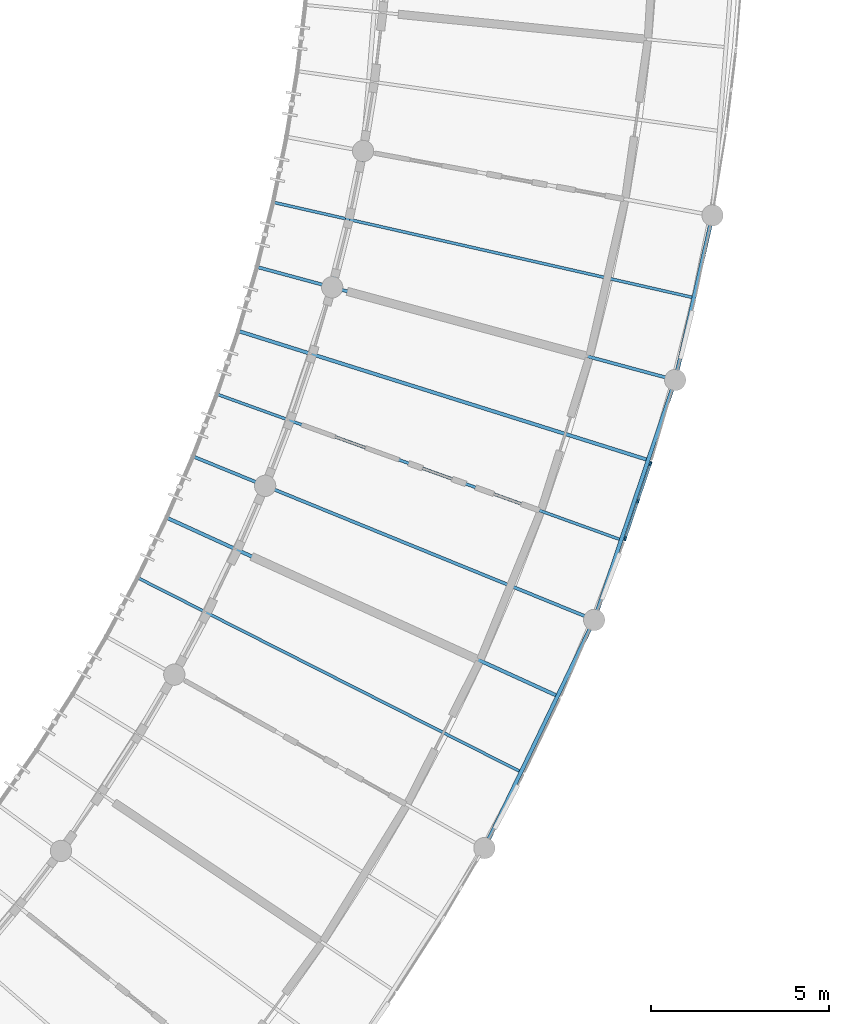
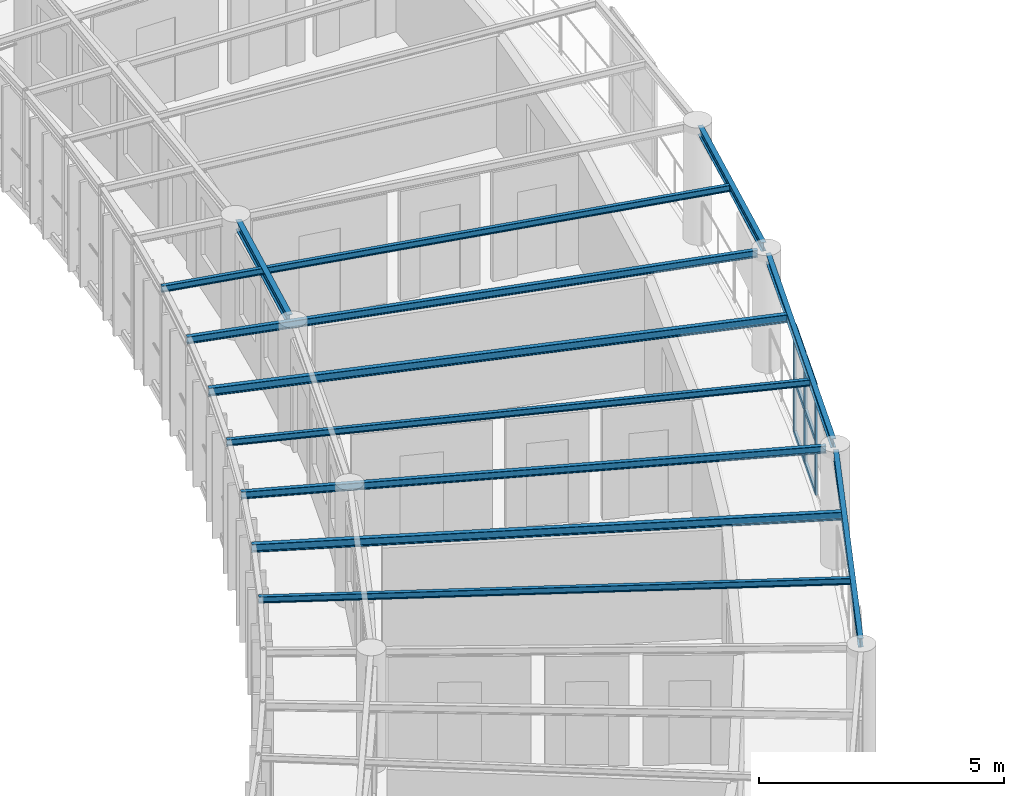
# One storey, part 16 of 101: 11 beams, 9 members, 1 element without a shape of its own.
"""IFC4 building model written with IfcOpenShell, lengths in metres."""

from ifc_helpers import new_model, si_unit, direction, frame, origin, origin_2d, place, context, subcontext, project, spatial, rectangle, i_section, extrude, material, layer, layer_set, material_profile, profile_set, type_object, element, aggregate, save


model = new_model("IFC4")

# Units and contexts
model_context = context("Model", 3, precision=1e-05, world=origin(), true_north=direction((0.0, 1.0)))
body_context = subcontext(model_context, "Body", "Model", "MODEL_VIEW")
ifc_project = project(units=[si_unit("LENGTHUNIT", "METRE"), si_unit("AREAUNIT", "SQUARE_METRE"), si_unit("VOLUMEUNIT", "CUBIC_METRE"), si_unit("PLANEANGLEUNIT", "RADIAN"), si_unit("MASSUNIT", "GRAM", prefix="KILO"), si_unit("POWERUNIT", "WATT"), si_unit("THERMODYNAMICTEMPERATUREUNIT", "KELVIN")], contexts=[model_context])

# Site, building, storey
site_placement = place(None, origin())
site = spatial("IfcSite", under=ifc_project, at=site_placement, CompositionType="ELEMENT")
building_placement = place(site_placement, origin())
building = spatial("IfcBuilding", under=site, at=building_placement, Name="Ruvembo Vaulted Housing Court", CompositionType="ELEMENT")
storey_placement = place(building_placement, frame((0.0, 0.0, 17.300048828125)))
storey = spatial("IfcBuildingStorey", under=building, at=storey_placement, Name="L05", CompositionType="ELEMENT", Elevation=17.300048828125)

# Beams
ifc_material_1 = material(Name="Steel S355J2", Category="steel")
ifc_material_profile_1 = material_profile(ifc_material_1, i_section(OverallWidth=0.08203125, OverallDepth=0.159912109375, WebThickness=0.0048828125, FlangeThickness=0.00732421875, FilletRadius=0.009033203125, at=origin_2d()), Name="IPE 160")
ifc_profile_set_1 = profile_set([ifc_material_profile_1], Name="Steel S355J2")
beam_type_1 = type_object("IfcBeamType", Name="BM-ST-IPE160", PredefinedType="JOIST", material=ifc_profile_set_1)
for number, where, z_axis, x_axis, name in (
    (1, (53.606689453125, 47.852783203125, 2.85205078125), (-0.892032194584, 0.451971861763, 0.0), (-0.451971861763, -0.892032194584, 0.0), "Scoop SC1 L05 Radial Steel Joist 7"),
    (2, (56.423583984375, 54.37841796875, 2.85205078125), (-0.940730058754, 0.339156242102, 0.0), (-0.339156242102, -0.940730058754, 0.0), "Scoop SC1 L05 Radial Steel Joist 10"),
):
    element("IfcBeam", number, at=place(storey_placement, frame(where, z_axis=z_axis, x_axis=x_axis)), inside=storey, type_object=beam_type_1, Name=name, PredefinedType="JOIST", context=body_context, shape_type="SweptSolid", body=[
        extrude(i_section(OverallWidth=0.08203125, OverallDepth=0.159912109375, WebThickness=0.0048828125, FlangeThickness=0.00732421875, FilletRadius=0.009033203125, at=origin_2d()), origin(), (0.0, 0.0, 1.0), 12.0927734375),
    ])
beam_1_placement = place(storey_placement, frame((58.46630859375, 61.189208984375, 2.85205078125), z_axis=(-0.975216538184, 0.221252578862, 0.0), x_axis=(-0.221252578862, -0.975216538184, 0.0)))
element("IfcBeam", 3, at=beam_1_placement, inside=storey, type_object=beam_type_1, Name="Scoop SC1 L05 Radial Steel Joist 13", PredefinedType="JOIST", context=body_context, shape_type="SweptSolid", body=[
    extrude(i_section(OverallWidth=0.08203125, OverallDepth=0.159912109375, WebThickness=0.0048828125, FlangeThickness=0.00732421875, FilletRadius=0.009033203125, at=origin_2d()), origin(), (0.0, 0.0, 1.0), 12.14111328125),
])
ifc_material_profile_2 = material_profile(ifc_material_1, i_section(OverallWidth=0.091064453125, OverallDepth=0.179931640625, WebThickness=0.00537109375, FlangeThickness=0.008056640625, FilletRadius=0.009033203125, at=origin_2d()), Name="IPE 180")
ifc_profile_set_2 = profile_set([ifc_material_profile_2], Name="Steel S355J2")
beam_type_2 = type_object("IfcBeamType", Name="BM-ST-IPE180", PredefinedType="JOIST", material=ifc_profile_set_2)
for number, where, z_axis, x_axis, name in (
    (4, (55.53466796875, 52.181396484375, 2.842041015625), (-0.926045419816, 0.377412083058, 0.0), (-0.377412083058, -0.926045419816, 0.0), "Scoop SC1 L05 Radial Steel Joist 9"),
    (5, (57.805908203125, 58.91064453125, 2.842041015625), (-0.965334285753, 0.261016698219, 0.0), (-0.261016698219, -0.965334285753, 0.0), "Scoop SC1 L05 Radial Steel Joist 12"),
):
    element("IfcBeam", number, at=place(storey_placement, frame(where, z_axis=z_axis, x_axis=x_axis)), inside=storey, type_object=beam_type_2, Name=name, PredefinedType="JOIST", context=body_context, shape_type="SweptSolid", body=[
        extrude(i_section(OverallWidth=0.091064453125, OverallDepth=0.179931640625, WebThickness=0.00537109375, FlangeThickness=0.008056640625, FilletRadius=0.009033203125, at=origin_2d()), origin(), (0.0, 0.0, 1.0), 12.050048828125),
    ])
ifc_material_profile_3 = material_profile(ifc_material_1, i_section(OverallWidth=0.10009765625, OverallDepth=0.199951171875, WebThickness=0.005615234375, FlangeThickness=0.008544921875, FilletRadius=0.011962890625, at=origin_2d()), Name="IPE 200")
ifc_profile_set_3 = profile_set([ifc_material_profile_3], Name="Steel S355J2")
beam_type_3 = type_object("IfcBeamType", Name="BM-ST-IPE200", PredefinedType="BEAM", material=ifc_profile_set_3)
for number, where, z_axis, x_axis, name in (
    (6, (54.634521484375, 49.989013671875, 2.83203125), (-0.909807680255, 0.415030101256, 0.0), (-0.415030101256, -0.909807680255, 0.0), "Scoop SC1 L05 Radial Steel Joist 8"),
    (7, (57.181640625, 56.62451171875, 2.83203125), (-0.953840147825, 0.300314788843, 0.0), (-0.300314788843, -0.953840147825, 0.0), "Scoop SC1 L05 Radial Steel Joist 11"),
):
    element("IfcBeam", number, at=place(storey_placement, frame(where, z_axis=z_axis, x_axis=x_axis)), inside=storey, type_object=beam_type_3, Name=name, PredefinedType="BEAM", context=body_context, shape_type="SweptSolid", body=[
        extrude(i_section(OverallWidth=0.10009765625, OverallDepth=0.199951171875, WebThickness=0.005615234375, FlangeThickness=0.008544921875, FilletRadius=0.011962890625, at=origin_2d()), origin(), (0.0, 0.0, 1.0), 12.092529296875),
    ])
ifc_material_profile_4 = material_profile(ifc_material_1, i_section(OverallWidth=0.110107421875, OverallDepth=0.219970703125, WebThickness=0.005859375, FlangeThickness=0.00927734375, FilletRadius=0.011962890625, at=origin_2d()), Name="IPE 220")
ifc_profile_set_4 = profile_set([ifc_material_profile_4], Name="Steel S355J2")
beam_type_4 = type_object("IfcBeamType", Name="BM-ST-IPE220", PredefinedType="SPANDREL", material=ifc_profile_set_4)
for number, where, z_axis, x_axis, name in (
    (8, (52.703369140625, 45.860107421875, 2.823974609375), (0.433596873745, 0.901106958734, 0.0), (-0.901106958734, 0.433596873745, 0.0), "Scoop SC1 L05 Chord Girder B6"),
    (9, (55.771240234375, 52.289794921875, 2.823974609375), (0.319841191203, 0.94747116706, 0.0), (-0.94747116706, 0.319841191203, 0.0), "Scoop SC1 L05 Chord Girder B9"),
):
    element("IfcBeam", number, at=place(storey_placement, frame(where, z_axis=z_axis, x_axis=x_axis)), inside=storey, type_object=beam_type_4, Name=name, PredefinedType="SPANDREL", context=body_context, shape_type="SweptSolid", body=[
        extrude(i_section(OverallWidth=0.110107421875, OverallDepth=0.219970703125, WebThickness=0.005859375, FlangeThickness=0.00927734375, FilletRadius=0.011962890625, at=origin_2d()), origin(), (0.0, 0.0, 1.0), 6.745361328125),
    ])
beam_2_placement = place(storey_placement, frame((58.031494140625, 59.04638671875, 2.823974609375), z_axis=(0.221244567423, 0.975218355747, 0.0), x_axis=(-0.975218355747, 0.221244567423, 0.0)))
element("IfcBeam", 10, at=beam_2_placement, inside=storey, type_object=beam_type_4, Name="Scoop SC1 L05 Chord Girder B12", PredefinedType="SPANDREL", context=body_context, shape_type="SweptSolid", body=[
    extrude(i_section(OverallWidth=0.110107421875, OverallDepth=0.219970703125, WebThickness=0.005859375, FlangeThickness=0.00927734375, FilletRadius=0.011962890625, at=origin_2d()), origin(), (0.0, 0.0, 1.0), 4.3720703125),
])
ifc_material_profile_5 = material_profile(ifc_material_1, i_section(OverallWidth=0.1201171875, OverallDepth=0.239990234375, WebThickness=0.006103515625, FlangeThickness=0.009765625, FilletRadius=0.014892578125, at=origin_2d()), Name="IPE 240")
ifc_profile_set_5 = profile_set([ifc_material_profile_5], Name="Steel S355J2")
beam_type_5 = type_object("IfcBeamType", Name="BM-ST-IPE240", PredefinedType="BEAM", material=ifc_profile_set_5)
beam_3_placement = place(storey_placement, frame((48.3779296875, 61.656494140625, 2.81396484375), z_axis=(0.22134486741, 0.975195595597, 0.0), x_axis=(-0.975195595597, 0.22134486741, 0.0)))
element("IfcBeam", 11, at=beam_3_placement, inside=storey, type_object=beam_type_5, Name="Scoop SC1 L05 Chord Girder F12", PredefinedType="BEAM", context=body_context, shape_type="SweptSolid", body=[
    extrude(i_section(OverallWidth=0.1201171875, OverallDepth=0.239990234375, WebThickness=0.006103515625, FlangeThickness=0.009765625, FilletRadius=0.014892578125, at=origin_2d()), origin(), (0.0, 0.0, 1.0), 3.552734375),
])

# Curtain wall, members
ifc_material_2 = material(Name="Anodised Aluminium and Solar-Control Glass", Category="aluminium")
ifc_layer = layer(ifc_material_2, 0.139892578125, Name="Anodised Aluminium and Solar-Control Glass")
ifc_layer_set = layer_set([ifc_layer], Name="Anodised Aluminium and Solar-Control Glass")
curtain_wall_type = type_object("IfcCurtainWallType", Name="CW-SCOOP-PAN", PredefinedType="NOTDEFINED", material=ifc_layer_set)
curtain_wall_placement = place(storey_placement, origin())
curtain_wall = element("IfcCurtainWall", 12, at=curtain_wall_placement, inside=storey, type_object=curtain_wall_type, Name="L05 Curtain Wall CW-L05-0027", PredefinedType="NOTDEFINED")
ifc_material_3 = material(Name="Anodised Aluminium 6063-T6", Category="aluminium")
ifc_material_profile_6 = material_profile(ifc_material_3, rectangle(XDim=0.054931640625, YDim=0.1201171875, at=origin_2d()), Name="ALU 55x120")
ifc_profile_set_6 = profile_set([ifc_material_profile_6], Name="Anodised Aluminium 6063-T6")
member_type_1 = type_object("IfcMemberType", Name="CW-MUL-55x120", PredefinedType="MULLION", material=ifc_profile_set_6)
member_1_placement = place(storey_placement, frame((56.5869140625, 54.40185546875, 0.0), z_axis=(0.0, 0.0, 1.0), x_axis=(-0.947472812083, 0.31983631808, 0.0)))
member_1 = element("IfcMember", 13, at=member_1_placement, type_object=member_type_1, Name="CW10 mullion 1", PredefinedType="MULLION", context=body_context, shape_type="SweptSolid", body=[
    extrude(rectangle(XDim=0.054931640625, YDim=0.1201171875, at=origin_2d()), origin(), (0.0, 0.0, 1.0), 2.68994140625),
])
member_2_placement = place(storey_placement, frame((56.942138671875, 55.454345703125, 0.0), z_axis=(0.0, 0.0, 1.0), x_axis=(-0.947472812083, 0.31983631808, 0.0)))
member_2 = element("IfcMember", 14, at=member_2_placement, type_object=member_type_1, Name="CW10 mullion 2", PredefinedType="MULLION", context=body_context, shape_type="SweptSolid", body=[
    extrude(rectangle(XDim=0.054931640625, YDim=0.1201171875, at=origin_2d()), origin(), (0.0, 0.0, 1.0), 2.68994140625),
])
member_3_placement = place(storey_placement, frame((57.29736328125, 56.506591796875, 0.0), z_axis=(0.0, 0.0, 1.0), x_axis=(-0.947472812083, 0.31983631808, 0.0)))
member_3 = element("IfcMember", 15, at=member_3_placement, type_object=member_type_1, Name="CW10 mullion 3", PredefinedType="MULLION", context=body_context, shape_type="SweptSolid", body=[
    extrude(rectangle(XDim=0.054931640625, YDim=0.1201171875, at=origin_2d()), origin(), (0.0, 0.0, 1.0), 2.68994140625),
])
ifc_material_profile_7 = material_profile(ifc_material_3, rectangle(XDim=0.06005859375, YDim=0.1201171875, at=origin_2d()), Name="ALU 60x120")
ifc_profile_set_7 = profile_set([ifc_material_profile_7], Name="Anodised Aluminium 6063-T6")
member_type_2 = type_object("IfcMemberType", Name="CW-TRANSOM-65x120", PredefinedType="USERDEFINED", material=ifc_profile_set_7)
member_4_placement = place(storey_placement, frame((56.595703125, 54.427978515625, 0.030029296875), z_axis=(0.319833141803, 0.947473884286, 0.0), x_axis=(-0.947473884286, 0.319833141803, 0.0)))
member_4 = element("IfcMember", 16, at=member_4_placement, type_object=member_type_2, Name="CW10 transom 1.1", ObjectType="TRANSOM", PredefinedType="USERDEFINED", context=body_context, shape_type="SweptSolid", body=[
    extrude(rectangle(XDim=0.06005859375, YDim=0.1201171875, at=origin_2d()), origin(), (0.0, 0.0, 1.0), 1.0556640625),
])
member_5_placement = place(storey_placement, frame((56.595703125, 54.427978515625, 1.344970703125), z_axis=(0.319833141803, 0.947473884286, 0.0), x_axis=(-0.947473884286, 0.319833141803, 0.0)))
member_5 = element("IfcMember", 17, at=member_5_placement, type_object=member_type_2, Name="CW10 transom 1.2", ObjectType="TRANSOM", PredefinedType="USERDEFINED", context=body_context, shape_type="SweptSolid", body=[
    extrude(rectangle(XDim=0.06005859375, YDim=0.1201171875, at=origin_2d()), origin(), (0.0, 0.0, 1.0), 1.0556640625),
])
member_6_placement = place(storey_placement, frame((56.595703125, 54.427978515625, 2.659912109375), z_axis=(0.319833141803, 0.947473884286, 0.0), x_axis=(-0.947473884286, 0.319833141803, 0.0)))
member_6 = element("IfcMember", 18, at=member_6_placement, type_object=member_type_2, Name="CW10 transom 1.3", ObjectType="TRANSOM", PredefinedType="USERDEFINED", context=body_context, shape_type="SweptSolid", body=[
    extrude(rectangle(XDim=0.06005859375, YDim=0.1201171875, at=origin_2d()), origin(), (0.0, 0.0, 1.0), 1.0556640625),
])
member_7_placement = place(storey_placement, frame((56.950927734375, 55.480224609375, 0.030029296875), z_axis=(0.319833141803, 0.947473884286, 0.0), x_axis=(-0.947473884286, 0.319833141803, 0.0)))
member_7 = element("IfcMember", 19, at=member_7_placement, type_object=member_type_2, Name="CW10 transom 2.1", ObjectType="TRANSOM", PredefinedType="USERDEFINED", context=body_context, shape_type="SweptSolid", body=[
    extrude(rectangle(XDim=0.06005859375, YDim=0.1201171875, at=origin_2d()), origin(), (0.0, 0.0, 1.0), 1.0556640625),
])
member_8_placement = place(storey_placement, frame((56.950927734375, 55.480224609375, 1.344970703125), z_axis=(0.319833141803, 0.947473884286, 0.0), x_axis=(-0.947473884286, 0.319833141803, 0.0)))
member_8 = element("IfcMember", 20, at=member_8_placement, type_object=member_type_2, Name="CW10 transom 2.2", ObjectType="TRANSOM", PredefinedType="USERDEFINED", context=body_context, shape_type="SweptSolid", body=[
    extrude(rectangle(XDim=0.06005859375, YDim=0.1201171875, at=origin_2d()), origin(), (0.0, 0.0, 1.0), 1.0556640625),
])
member_9_placement = place(storey_placement, frame((56.950927734375, 55.480224609375, 2.659912109375), z_axis=(0.319833141803, 0.947473884286, 0.0), x_axis=(-0.947473884286, 0.319833141803, 0.0)))
member_9 = element("IfcMember", 21, at=member_9_placement, type_object=member_type_2, Name="CW10 transom 2.3", ObjectType="TRANSOM", PredefinedType="USERDEFINED", context=body_context, shape_type="SweptSolid", body=[
    extrude(rectangle(XDim=0.06005859375, YDim=0.1201171875, at=origin_2d()), origin(), (0.0, 0.0, 1.0), 1.0556640625),
])
aggregate(curtain_wall, [member_1, member_2, member_3, member_4, member_5, member_6, member_7, member_8, member_9])

save(model, "model.ifc")
